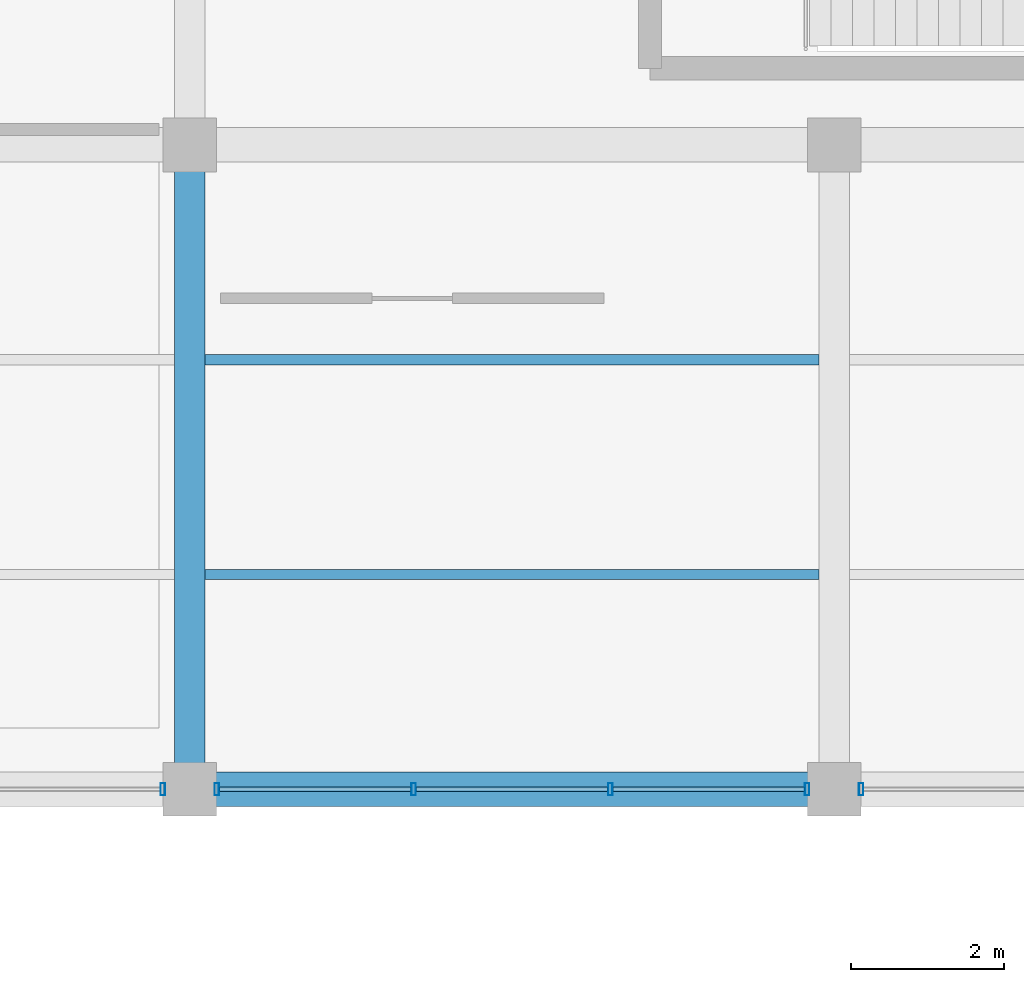
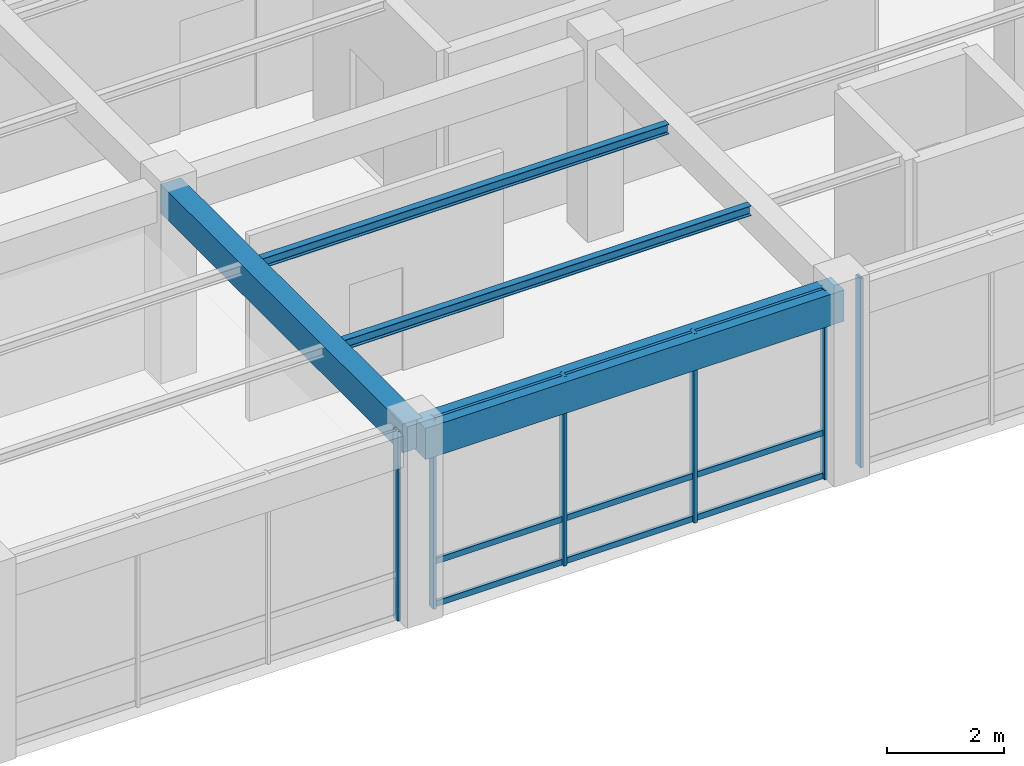
# One storey, part 20 of 152: 15 members, 4 beams, 3 elements without a shape of their own.
"""IFC4 building model written with IfcOpenShell, lengths in metres."""

from ifc_helpers import new_model, si_unit, direction, frame, origin, origin_2d, place, context, subcontext, project, spatial, rectangle, hollow_rectangle, i_section, extrude, material, material_profile, profile_set, type_object, element, aggregate, save


model = new_model("IFC4")

# Units and contexts
model_context = context("Model", 3, precision=1e-05, world=origin(), true_north=direction((0.0, 1.0)))
body_context = subcontext(model_context, "Body", "Model", "MODEL_VIEW")
ifc_project = project(units=[si_unit("LENGTHUNIT", "METRE"), si_unit("AREAUNIT", "SQUARE_METRE"), si_unit("VOLUMEUNIT", "CUBIC_METRE"), si_unit("PLANEANGLEUNIT", "RADIAN"), si_unit("MASSUNIT", "GRAM", prefix="KILO"), si_unit("THERMODYNAMICTEMPERATUREUNIT", "KELVIN"), si_unit("POWERUNIT", "WATT")], contexts=[model_context])

# Site, building, storey
site_placement = place(None, origin())
site = spatial("IfcSite", under=ifc_project, at=site_placement, CompositionType="ELEMENT")
building_placement = place(site_placement, origin())
building = spatial("IfcBuilding", under=site, at=building_placement, Name="Darbajah Civic Hall", CompositionType="ELEMENT")
storey_placement = place(building_placement, frame((0.0, 0.0, 5.39990234375)))
storey = spatial("IfcBuildingStorey", under=building, at=storey_placement, Name="L01", CompositionType="ELEMENT", Elevation=5.39990234375)

# Curtain wall, member
ifc_material_1 = material(Name="Anodised Bronze Aluminium and Low-E Glazing", Category="aluminium")
curtain_wall_type = type_object("IfcCurtainWallType", Name="Unitised Curtain Wall CW-99 7700x3950", PredefinedType="USERDEFINED", material=ifc_material_1)
curtain_wall_1_placement = place(storey_placement, origin())
curtain_wall_1 = element("IfcCurtainWall", 1, at=curtain_wall_1_placement, inside=storey, type_object=curtain_wall_type, Name="L01 unitised curtain wall CW-V5-L01-S2-B1", ObjectType="UNITISED CURTAIN WALL", PredefinedType="USERDEFINED")
ifc_material_2 = material(Name="Anodised Bronze Aluminium", Category="aluminium")
ifc_material_profile_1 = material_profile(ifc_material_2, hollow_rectangle(XDim=0.06005859375, YDim=0.159912109375, WallThickness=0.00341796875, at=origin_2d()), Name="ALU MULLION 60x160")
ifc_profile_set_1 = profile_set([ifc_material_profile_1], Name="Anodised Bronze Aluminium")
member_type_1 = type_object("IfcMemberType", Name="ALU MULLION 60x160", PredefinedType="MULLION", material=ifc_profile_set_1)
member_1_placement = place(storey_placement, frame((33.248046875, 16.800048828125, 0.0), z_axis=(0.0, 0.0, 1.0), x_axis=(1.0, 0.0, 0.0)))
member_1 = element("IfcMember", 2, at=member_1_placement, type_object=member_type_1, Name="CW-V5-L01-S2-B1 mullion 4", PredefinedType="MULLION", context=body_context, shape_type="SweptSolid", body=[
    extrude(hollow_rectangle(XDim=0.06005859375, YDim=0.159912109375, WallThickness=0.00341796875, at=origin_2d()), origin(), (0.0, 0.0, 1.0), 3.940185546875),
])
aggregate(curtain_wall_1, [member_1])

# Curtain wall, members
curtain_wall_2_placement = place(storey_placement, origin())
curtain_wall_2 = element("IfcCurtainWall", 3, at=curtain_wall_2_placement, inside=storey, type_object=curtain_wall_type, Name="L01 unitised curtain wall CW-V5-L01-S2-B2", ObjectType="UNITISED CURTAIN WALL", PredefinedType="USERDEFINED")
member_2_placement = place(storey_placement, frame((33.951904296875, 16.800048828125, 0.0), z_axis=(0.0, 0.0, 1.0), x_axis=(1.0, 0.0, 0.0)))
member_2 = element("IfcMember", 4, at=member_2_placement, type_object=member_type_1, Name="CW-V5-L01-S2-B2 mullion 1", PredefinedType="MULLION", context=body_context, shape_type="SweptSolid", body=[
    extrude(hollow_rectangle(XDim=0.06005859375, YDim=0.159912109375, WallThickness=0.00341796875, at=origin_2d()), origin(), (0.0, 0.0, 1.0), 3.940185546875),
])
member_3_placement = place(storey_placement, frame((36.517333984375, 16.800048828125, 0.0), z_axis=(0.0, 0.0, 1.0), x_axis=(1.0, 0.0, 0.0)))
member_3 = element("IfcMember", 5, at=member_3_placement, type_object=member_type_1, Name="CW-V5-L01-S2-B2 mullion 2", PredefinedType="MULLION", context=body_context, shape_type="SweptSolid", body=[
    extrude(hollow_rectangle(XDim=0.06005859375, YDim=0.159912109375, WallThickness=0.00341796875, at=origin_2d()), origin(), (0.0, 0.0, 1.0), 3.940185546875),
])
member_4_placement = place(storey_placement, frame((39.082763671875, 16.800048828125, 0.0), z_axis=(0.0, 0.0, 1.0), x_axis=(1.0, 0.0, 0.0)))
member_4 = element("IfcMember", 6, at=member_4_placement, type_object=member_type_1, Name="CW-V5-L01-S2-B2 mullion 3", PredefinedType="MULLION", context=body_context, shape_type="SweptSolid", body=[
    extrude(hollow_rectangle(XDim=0.06005859375, YDim=0.159912109375, WallThickness=0.00341796875, at=origin_2d()), origin(), (0.0, 0.0, 1.0), 3.940185546875),
])
member_5_placement = place(storey_placement, frame((41.64794921875, 16.800048828125, 0.0), z_axis=(0.0, 0.0, 1.0), x_axis=(1.0, 0.0, 0.0)))
member_5 = element("IfcMember", 7, at=member_5_placement, type_object=member_type_1, Name="CW-V5-L01-S2-B2 mullion 4", PredefinedType="MULLION", context=body_context, shape_type="SweptSolid", body=[
    extrude(hollow_rectangle(XDim=0.06005859375, YDim=0.159912109375, WallThickness=0.00341796875, at=origin_2d()), origin(), (0.0, 0.0, 1.0), 3.940185546875),
])

# Curtain wall, member
curtain_wall_3_placement = place(storey_placement, origin())
curtain_wall_3 = element("IfcCurtainWall", 8, at=curtain_wall_3_placement, inside=storey, type_object=curtain_wall_type, Name="L01 unitised curtain wall CW-V5-L01-S2-B3", ObjectType="UNITISED CURTAIN WALL", PredefinedType="USERDEFINED")
member_6_placement = place(storey_placement, frame((42.35205078125, 16.800048828125, 0.0), z_axis=(0.0, 0.0, 1.0), x_axis=(1.0, 0.0, 0.0)))
member_6 = element("IfcMember", 9, at=member_6_placement, type_object=member_type_1, Name="CW-V5-L01-S2-B3 mullion 1", PredefinedType="MULLION", context=body_context, shape_type="SweptSolid", body=[
    extrude(hollow_rectangle(XDim=0.06005859375, YDim=0.159912109375, WallThickness=0.00341796875, at=origin_2d()), origin(), (0.0, 0.0, 1.0), 3.940185546875),
])
aggregate(curtain_wall_3, [member_6])

# Member
ifc_material_profile_2 = material_profile(ifc_material_2, hollow_rectangle(XDim=0.06005859375, YDim=0.1201171875, WallThickness=0.003173828125, at=origin_2d()), Name="ALU TRANSOM 60x120")
ifc_profile_set_2 = profile_set([ifc_material_profile_2], Name="Anodised Bronze Aluminium")
member_type_2 = type_object("IfcMemberType", Name="ALU TRANSOM 60x120", PredefinedType="USERDEFINED", material=ifc_profile_set_2)
member_7_placement = place(storey_placement, frame((33.987060546875, 16.800048828125, 0.06005859375), z_axis=(1.0, 0.0, 0.0), x_axis=(0.0, 1.0, 0.0)))
member_7 = element("IfcMember", 10, at=member_7_placement, type_object=member_type_2, Name="CW-V5-L01-S2-B2 transom 1.1", ObjectType="TRANSOM", PredefinedType="USERDEFINED", context=body_context, shape_type="SweptSolid", body=[
    extrude(hollow_rectangle(XDim=0.06005859375, YDim=0.1201171875, WallThickness=0.003173828125, at=origin_2d()), origin(), (0.0, 0.0, 1.0), 2.495361328125),
])

member_8_placement = place(storey_placement, frame((33.987060546875, 16.800048828125, 0.9501953125), z_axis=(1.0, 0.0, 0.0), x_axis=(0.0, 1.0, 0.0)))
member_8 = element("IfcMember", 11, at=member_8_placement, type_object=member_type_2, Name="CW-V5-L01-S2-B2 transom 1.2", ObjectType="TRANSOM", PredefinedType="USERDEFINED", context=body_context, shape_type="SweptSolid", body=[
    extrude(hollow_rectangle(XDim=0.06005859375, YDim=0.1201171875, WallThickness=0.003173828125, at=origin_2d()), origin(), (0.0, 0.0, 1.0), 2.495361328125),
])

member_9_placement = place(storey_placement, frame((33.987060546875, 16.800048828125, 3.880126953125), z_axis=(1.0, 0.0, 0.0), x_axis=(0.0, 1.0, 0.0)))
member_9 = element("IfcMember", 12, at=member_9_placement, type_object=member_type_2, Name="CW-V5-L01-S2-B2 transom 1.3", ObjectType="TRANSOM", PredefinedType="USERDEFINED", context=body_context, shape_type="SweptSolid", body=[
    extrude(hollow_rectangle(XDim=0.06005859375, YDim=0.1201171875, WallThickness=0.003173828125, at=origin_2d()), origin(), (0.0, 0.0, 1.0), 2.495361328125),
])

member_10_placement = place(storey_placement, frame((36.55224609375, 16.800048828125, 0.06005859375), z_axis=(1.0, 0.0, 0.0), x_axis=(0.0, 1.0, 0.0)))
member_10 = element("IfcMember", 13, at=member_10_placement, type_object=member_type_2, Name="CW-V5-L01-S2-B2 transom 2.1", ObjectType="TRANSOM", PredefinedType="USERDEFINED", context=body_context, shape_type="SweptSolid", body=[
    extrude(hollow_rectangle(XDim=0.06005859375, YDim=0.1201171875, WallThickness=0.003173828125, at=origin_2d()), origin(), (0.0, 0.0, 1.0), 2.495361328125),
])

member_11_placement = place(storey_placement, frame((36.55224609375, 16.800048828125, 0.9501953125), z_axis=(1.0, 0.0, 0.0), x_axis=(0.0, 1.0, 0.0)))
member_11 = element("IfcMember", 14, at=member_11_placement, type_object=member_type_2, Name="CW-V5-L01-S2-B2 transom 2.2", ObjectType="TRANSOM", PredefinedType="USERDEFINED", context=body_context, shape_type="SweptSolid", body=[
    extrude(hollow_rectangle(XDim=0.06005859375, YDim=0.1201171875, WallThickness=0.003173828125, at=origin_2d()), origin(), (0.0, 0.0, 1.0), 2.495361328125),
])

member_12_placement = place(storey_placement, frame((36.55224609375, 16.800048828125, 3.880126953125), z_axis=(1.0, 0.0, 0.0), x_axis=(0.0, 1.0, 0.0)))
member_12 = element("IfcMember", 15, at=member_12_placement, type_object=member_type_2, Name="CW-V5-L01-S2-B2 transom 2.3", ObjectType="TRANSOM", PredefinedType="USERDEFINED", context=body_context, shape_type="SweptSolid", body=[
    extrude(hollow_rectangle(XDim=0.06005859375, YDim=0.1201171875, WallThickness=0.003173828125, at=origin_2d()), origin(), (0.0, 0.0, 1.0), 2.495361328125),
])

member_13_placement = place(storey_placement, frame((39.11767578125, 16.800048828125, 0.06005859375), z_axis=(1.0, 0.0, 0.0), x_axis=(0.0, 1.0, 0.0)))
member_13 = element("IfcMember", 16, at=member_13_placement, type_object=member_type_2, Name="CW-V5-L01-S2-B2 transom 3.1", ObjectType="TRANSOM", PredefinedType="USERDEFINED", context=body_context, shape_type="SweptSolid", body=[
    extrude(hollow_rectangle(XDim=0.06005859375, YDim=0.1201171875, WallThickness=0.003173828125, at=origin_2d()), origin(), (0.0, 0.0, 1.0), 2.495361328125),
])

member_14_placement = place(storey_placement, frame((39.11767578125, 16.800048828125, 0.9501953125), z_axis=(1.0, 0.0, 0.0), x_axis=(0.0, 1.0, 0.0)))
member_14 = element("IfcMember", 17, at=member_14_placement, type_object=member_type_2, Name="CW-V5-L01-S2-B2 transom 3.2", ObjectType="TRANSOM", PredefinedType="USERDEFINED", context=body_context, shape_type="SweptSolid", body=[
    extrude(hollow_rectangle(XDim=0.06005859375, YDim=0.1201171875, WallThickness=0.003173828125, at=origin_2d()), origin(), (0.0, 0.0, 1.0), 2.495361328125),
])

member_15_placement = place(storey_placement, frame((39.11767578125, 16.800048828125, 3.880126953125), z_axis=(1.0, 0.0, 0.0), x_axis=(0.0, 1.0, 0.0)))
member_15 = element("IfcMember", 18, at=member_15_placement, type_object=member_type_2, Name="CW-V5-L01-S2-B2 transom 3.3", ObjectType="TRANSOM", PredefinedType="USERDEFINED", context=body_context, shape_type="SweptSolid", body=[
    extrude(hollow_rectangle(XDim=0.06005859375, YDim=0.1201171875, WallThickness=0.003173828125, at=origin_2d()), origin(), (0.0, 0.0, 1.0), 2.495361328125),
])

aggregate(curtain_wall_2, [member_2, member_3, member_4, member_5, member_7, member_8, member_9, member_10, member_11, member_12, member_13, member_14, member_15])

# Beams
ifc_material_3 = material(Name="Concrete C45/55", Category="concrete")
ifc_material_profile_3 = material_profile(ifc_material_3, rectangle(XDim=0.39990234375, YDim=0.60009765625, at=origin_2d()), Name="RC BEAM 400x600")
ifc_profile_set_3 = profile_set([ifc_material_profile_3], Name="Concrete C45/55")
beam_type_1 = type_object("IfcBeamType", Name="RC BEAM 400x600", PredefinedType="BEAM", material=ifc_profile_set_3)
beam_1_placement = place(storey_placement, frame((33.60009765625, 16.8798828125, 3.64013671875), z_axis=(0.0, 1.0, 0.0), x_axis=(-1.0, 0.0, 0.0)))
element("IfcBeam", 19, at=beam_1_placement, inside=storey, type_object=beam_type_1, Name="L01 beam BM-4060", PredefinedType="BEAM", context=body_context, shape_type="SweptSolid", body=[
    extrude(rectangle(XDim=0.39990234375, YDim=0.60009765625, at=origin_2d()), origin(), (0.0, 0.0, 1.0), 8.240234375),
])
ifc_material_profile_4 = material_profile(ifc_material_3, rectangle(XDim=0.449951171875, YDim=0.64990234375, at=origin_2d()), Name="RC BEAM 450x650")
ifc_profile_set_4 = profile_set([ifc_material_profile_4], Name="Concrete C45/55")
beam_type_2 = type_object("IfcBeamType", Name="RC BEAM 450x650", PredefinedType="BEAM", material=ifc_profile_set_4)
beam_2_placement = place(storey_placement, frame((33.679931640625, 16.800048828125, 3.614990234375), z_axis=(1.0, 0.0, 0.0), x_axis=(0.0, 1.0, 0.0)))
element("IfcBeam", 20, at=beam_2_placement, inside=storey, type_object=beam_type_2, Name="L01 beam BM-4565", PredefinedType="BEAM", context=body_context, shape_type="SweptSolid", body=[
    extrude(rectangle(XDim=0.449951171875, YDim=0.64990234375, at=origin_2d()), origin(), (0.0, 0.0, 1.0), 8.239990234375),
])
ifc_material_4 = material(Name="Steel S355JR", Category="steel")
ifc_material_profile_5 = material_profile(ifc_material_4, i_section(OverallWidth=0.1337890625, OverallDepth=0.206787109375, WebThickness=0.00634765625, FlangeThickness=0.009521484375, FilletRadius=0.007568359375, at=origin_2d()), Name="UB 203x133x30")
ifc_profile_set_5 = profile_set([ifc_material_profile_5], Name="Steel S355JR")
beam_type_3 = type_object("IfcBeamType", Name="UB 203x133x30", PredefinedType="JOIST", material=ifc_profile_set_5)
for number, where, z_axis, x_axis, name in (
    (21, (33.800048828125, 19.60009765625, 3.836669921875), (1.0, 0.0, 0.0), (0.0, 1.0, 0.0), "L01 beam SJ-203"),
    (22, (33.800048828125, 22.39990234375, 3.836669921875), (1.0, 0.0, 0.0), (0.0, 1.0, 0.0), "L01 beam SJ-203"),
):
    element("IfcBeam", number, at=place(storey_placement, frame(where, z_axis=z_axis, x_axis=x_axis)), inside=storey, type_object=beam_type_3, Name=name, PredefinedType="JOIST", context=body_context, shape_type="SweptSolid", body=[
        extrude(i_section(OverallWidth=0.1337890625, OverallDepth=0.206787109375, WebThickness=0.00634765625, FlangeThickness=0.009521484375, FilletRadius=0.007568359375, at=origin_2d()), origin(), (0.0, 0.0, 1.0), 8.0),
    ])

save(model, "model.ifc")
